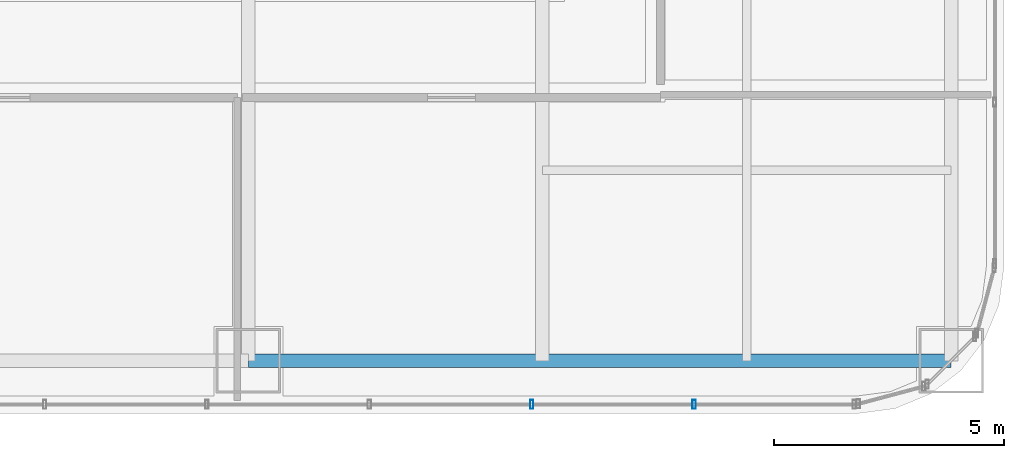
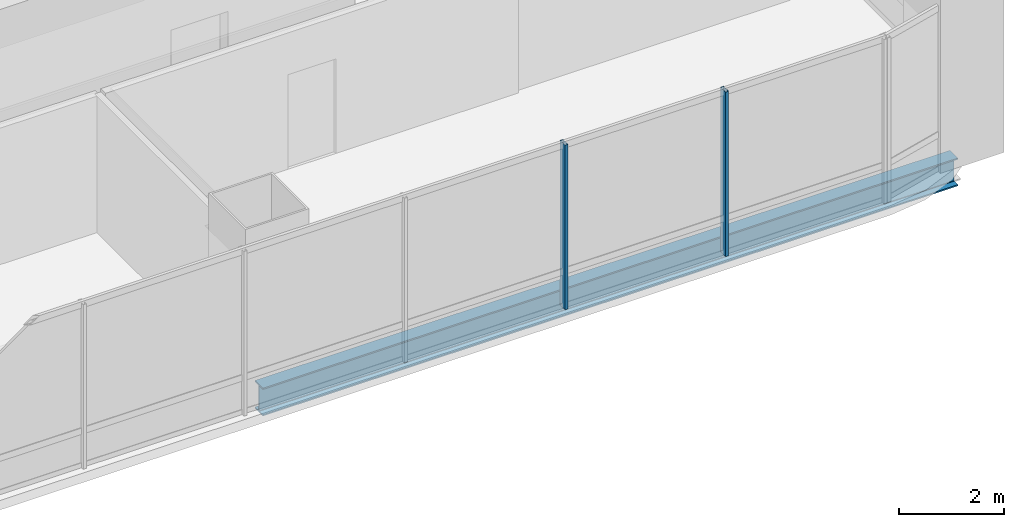
# One storey, part 14 of 37: 2 members, 1 beam, 1 element without a shape of its own.
"""IFC4 building model written with IfcOpenShell, lengths in metres."""

import ifcopenshell
import ifcopenshell.guid

model = None  # the IFC model being written
_history = None  # IfcOwnerHistory: only IFC2X3 demands one
_inside = {}  # id of a spatial element -> (the spatial element, [elements in it])
_under = {}  # id of a project, library or spatial element -> (it, [spatial elements below it])
_declared = {}  # id of a project -> (the project, [libraries it declares])
_typed = {}  # id of a type object -> (the type object, [elements of that type])
_made_of = {}  # id of a material, layer set ... -> (it, [elements and type objects made of it])


def new_model(schema):
    """Start an empty IFC model of exactly this schema.

    Asked for "IFC4X3", IfcOpenShell would pick the latest addendum, in which some entities
    have other attributes; the version numbers below select the first issue.
    IFC2X3 requires an IfcOwnerHistory on every rooted entity: one is made here for all.
    """
    global model, _history
    if schema == "IFC4X3":
        model = ifcopenshell.file(schema_version=(4, 3, 0, 0))
    else:
        model = ifcopenshell.file(schema=schema)
    _inside.clear()
    _under.clear()
    _declared.clear()
    _typed.clear()
    _made_of.clear()
    _history = None
    if model.schema == "IFC2X3":
        org = make("IfcOrganization", Name="unknown")
        user = make(
            "IfcPersonAndOrganization",
            ThePerson=make("IfcPerson", FamilyName="unknown"),
            TheOrganization=org,
        )
        app = make(
            "IfcApplication",
            ApplicationDeveloper=org,
            Version="unknown",
            ApplicationFullName="unknown",
            ApplicationIdentifier="unknown",
        )
        _history = make(
            "IfcOwnerHistory",
            OwningUser=user,
            OwningApplication=app,
            ChangeAction="ADDED",
            CreationDate=0,
        )
    return model


def make(cls, **values):
    """One entity of the class cls with the attributes given. An attribute that is None is left unset."""
    return model.create_entity(
        cls, **{name: value for name, value in values.items() if value is not None}
    )


def rooted(cls, **values):
    """An entity with a GlobalId (a new one), such as an element, a storey or a relation."""
    return make(cls, GlobalId=ifcopenshell.guid.new(), OwnerHistory=_history, **values)


def si_unit(unit_type, name, prefix=None):
    """IfcSIUnit, for example si_unit("LENGTHUNIT", "METRE", prefix="MILLI")."""
    return make("IfcSIUnit", UnitType=unit_type, Prefix=prefix, Name=name)


def assignment(units):
    """IfcUnitAssignment: the units of a project."""
    return None if units is None else make("IfcUnitAssignment", Units=units)


def point(xyz):
    """IfcCartesianPoint."""
    return None if xyz is None else make("IfcCartesianPoint", Coordinates=xyz)


def direction(xyz):
    """IfcDirection."""
    return None if xyz is None else make("IfcDirection", DirectionRatios=xyz)


def frame(location, z_axis=None, x_axis=None):
    """IfcAxis2Placement3D, a coordinate frame: its origin and axes. An axis left out is left unset."""
    return make(
        "IfcAxis2Placement3D",
        Location=point(location),
        Axis=direction(z_axis),
        RefDirection=direction(x_axis),
    )


def frame_2d(location, x_axis=None):
    """IfcAxis2Placement2D, a coordinate frame in the plane: its origin and x axis."""
    return make(
        "IfcAxis2Placement2D", Location=point(location), RefDirection=direction(x_axis)
    )


def origin():
    """The frame at (0, 0, 0) with its axes left unset."""
    return frame((0.0, 0.0, 0.0))


def origin_2d():
    """The frame at (0, 0) in the plane with its x axis left unset."""
    return frame_2d((0.0, 0.0))


def place(relative_to, where):
    """IfcLocalPlacement: puts the frame where relative to a parent placement (None: the world)."""
    return make(
        "IfcLocalPlacement", PlacementRelTo=relative_to, RelativePlacement=where
    )


def context(
    kind, dimensions, precision=None, world=None, true_north=None, identifier=None
):
    """IfcGeometricRepresentationContext, for example the 3D "Model" context."""
    return make(
        "IfcGeometricRepresentationContext",
        ContextIdentifier=identifier,
        ContextType=kind,
        CoordinateSpaceDimension=dimensions,
        Precision=precision,
        WorldCoordinateSystem=world,
        TrueNorth=true_north,
    )


def subcontext(parent, identifier, kind, view, scale=None):
    """IfcGeometricRepresentationSubContext, for example "Body" below "Model"."""
    return make(
        "IfcGeometricRepresentationSubContext",
        ContextIdentifier=identifier,
        ContextType=kind,
        ParentContext=parent,
        TargetScale=scale,
        TargetView=view,
    )


def project(units=None, contexts=None):
    """IfcProject with its units and contexts."""
    return rooted(
        "IfcProject",
        Name="project",
        RepresentationContexts=contexts,
        UnitsInContext=assignment(units),
    )


def spatial(cls, under=None, at=None, **own):
    """A site, building, storey or space (cls), placed at a placement, below another one or the project."""
    s = rooted(cls, ObjectPlacement=at, **own)
    if under is not None:
        _under.setdefault(under.id(), (under, []))[1].append(s)
    return s


def profile(cls, at=None, kind="AREA", **sizes):
    """A parametric profile (cls). Its sizes go by their IFC names, for example OverallWidth=200.0."""
    return make(cls, ProfileType=kind, Position=at, **sizes)


def hollow_rectangle(**sizes):
    """IfcRectangleHollowProfileDef."""
    return profile("IfcRectangleHollowProfileDef", **sizes)


def i_section(**sizes):
    """IfcIShapeProfileDef."""
    return profile("IfcIShapeProfileDef", **sizes)


def extrude(swept, where, along, depth):
    """IfcExtrudedAreaSolid: the profile swept, set in the frame where, extruded along a direction by depth."""
    return make(
        "IfcExtrudedAreaSolid",
        SweptArea=swept,
        Position=where,
        ExtrudedDirection=direction(along),
        Depth=depth,
    )


def shape(context_of_items, identifier, shape_type, items):
    """IfcShapeRepresentation: the items that make up one representation, for example the "Body"."""
    return make(
        "IfcShapeRepresentation",
        ContextOfItems=context_of_items,
        RepresentationIdentifier=identifier,
        RepresentationType=shape_type,
        Items=items,
    )


def material(Name=None, Category=None):
    """IfcMaterial."""
    return make("IfcMaterial", Name=Name, Category=Category)


def material_profile(
    of_material, cross_section, Name=None, Category=None, Priority=None
):
    """IfcMaterialProfile: a cross section and its material."""
    return make(
        "IfcMaterialProfile",
        Name=Name,
        Material=of_material,
        Profile=cross_section,
        Priority=Priority,
        Category=Category,
    )


def profile_set(profiles, Name=None, composite=None):
    """IfcMaterialProfileSet."""
    return make(
        "IfcMaterialProfileSet",
        Name=Name,
        MaterialProfiles=profiles,
        CompositeProfile=composite,
    )


def made_of(thing, what):
    """Note that an element or type object is made of a material, layer set ...; save() writes the relation."""
    if what is not None:
        _made_of.setdefault(what.id(), (what, []))[1].append(thing)
    return thing


def type_object(cls, material=None, **own):
    """A type object (cls), such as IfcWallType, which elements share."""
    return made_of(rooted(cls, **own), material)


def element(
    cls,
    number,
    at=None,
    inside=None,
    cuts=None,
    type_object=None,
    material=None,
    context=None,
    identifier="Body",
    shape_type=None,
    held_by="IfcProductDefinitionShape",
    body=None,
    shapes=None,
    **own,
):
    """One element of the class cls, such as IfcWall. Its Tag is "e" and its number.

    at: its placement. inside: the storey or other place that contains it. cuts: it is an
    opening in that element (IfcRelVoidsElement). A single representation is given by context,
    identifier, shape_type and body (its items); several are given by shapes. held_by: the class
    of the entity that holds the representations. save() writes the other relations.
    """
    e = rooted(cls, Tag="e%d" % number, ObjectPlacement=at, **own)
    if body is not None:
        shapes = [shape(context, identifier, shape_type, body)]
    if shapes is not None:
        e.Representation = make(held_by, Representations=shapes)
    if inside is not None:
        _inside.setdefault(inside.id(), (inside, []))[1].append(e)
    if cuts is not None:
        rooted(
            "IfcRelVoidsElement", RelatingBuildingElement=cuts, RelatedOpeningElement=e
        )
    if type_object is not None:
        _typed.setdefault(type_object.id(), (type_object, []))[1].append(e)
    return made_of(e, material)


def aggregate(whole, parts):
    """IfcRelAggregates: a whole, such as a stair, and the parts it consists of."""
    return rooted("IfcRelAggregates", RelatingObject=whole, RelatedObjects=parts)


def save(model, path):
    """Write the relations noted so far, then the file.

    IfcRelAggregates (storeys below a building ...), IfcRelContainedInSpatialStructure (elements
    in a storey), IfcRelDefinesByType, IfcRelAssociatesMaterial and IfcRelDeclares: one each for
    every whole, place, type object, material and project.
    """
    for whole, parts in _under.values():
        aggregate(whole, parts)
    for where, things in _inside.values():
        rooted(
            "IfcRelContainedInSpatialStructure",
            RelatedElements=things,
            RelatingStructure=where,
        )
    for kind, things in _typed.values():
        rooted("IfcRelDefinesByType", RelatedObjects=things, RelatingType=kind)
    for what, things in _made_of.values():
        rooted("IfcRelAssociatesMaterial", RelatedObjects=things, RelatingMaterial=what)
    for by, libraries in _declared.values():
        rooted("IfcRelDeclares", RelatingContext=by, RelatedDefinitions=libraries)
    model.write(path)


model = new_model("IFC4")

# Units and contexts
model_context = context("Model", 3, precision=1e-05, world=origin(), true_north=direction((0.0, 1.0)))
body_context = subcontext(model_context, "Body", "Model", "MODEL_VIEW")
ifc_project = project(units=[si_unit("LENGTHUNIT", "METRE"), si_unit("AREAUNIT", "SQUARE_METRE"), si_unit("VOLUMEUNIT", "CUBIC_METRE"), si_unit("PLANEANGLEUNIT", "RADIAN"), si_unit("MASSUNIT", "GRAM", prefix="KILO")], contexts=[model_context])

# Site, building, storey
site_placement = place(None, origin())
site = spatial("IfcSite", under=ifc_project, at=site_placement, CompositionType="ELEMENT")
building_placement = place(site_placement, origin())
building = spatial("IfcBuilding", under=site, at=building_placement, Name="Punatoya Terracotta Tower", CompositionType="ELEMENT")
storey_placement = place(building_placement, frame((0.0, 0.0, 164.10009765625)))
storey = spatial("IfcBuildingStorey", under=building, at=storey_placement, Name="L38", CompositionType="ELEMENT", Elevation=164.10009765625)

# Beam
ifc_material_1 = material(Name="Steel S355", Category="steel")
ifc_material_profile_1 = material_profile(ifc_material_1, i_section(OverallWidth=0.300048828125, OverallDepth=0.64990234375, WebThickness=0.01611328125, FlangeThickness=0.031005859375, FilletRadius=0.01806640625, at=origin_2d()))
ifc_profile_set_1 = profile_set([ifc_material_profile_1], Name="Steel S355")
beam_type = type_object("IfcBeamType", Name="BM-PRI-650", PredefinedType="BEAM", material=ifc_profile_set_1)
beam_placement = place(storey_placement, frame((3.800048828125, -17.5, -0.545166015625), z_axis=(1.0, 0.0, 0.0), x_axis=(0.0, 1.0, 0.0)))
element("IfcBeam", 1, at=beam_placement, inside=storey, type_object=beam_type, Name="BM-L38-RG-S3", PredefinedType="BEAM", context=body_context, shape_type="SweptSolid", body=[
    extrude(i_section(OverallWidth=0.300048828125, OverallDepth=0.64990234375, WebThickness=0.01611328125, FlangeThickness=0.031005859375, FilletRadius=0.01806640625, at=origin_2d()), origin(), (0.0, 0.0, 1.0), 15.300048828125),
])

# Curtain wall, members
ifc_material_2 = material(Name="Aluminium 6063-T6 + Double Low-E Glass", Category="aluminium")
curtain_wall_type = type_object("IfcCurtainWallType", Name="CW-M2", PredefinedType="NOTDEFINED", material=ifc_material_2)
curtain_wall_placement = place(storey_placement, origin())
curtain_wall = element("IfcCurtainWall", 2, at=curtain_wall_placement, inside=storey, type_object=curtain_wall_type, Name="L38 Curtain Wall CW-L38-S01-1", PredefinedType="NOTDEFINED")
ifc_material_3 = material(Name="Aluminium 6063-T6", Category="aluminium")
ifc_material_profile_2 = material_profile(ifc_material_3, hollow_rectangle(XDim=0.072021484375, YDim=0.195068359375, WallThickness=0.00439453125, at=origin_2d()))
ifc_profile_set_2 = profile_set([ifc_material_profile_2], Name="Aluminium 6063-T6")
member_type = type_object("IfcMemberType", Name="CW-MUL-M2", PredefinedType="MULLION", material=ifc_profile_set_2)
member_1_placement = place(storey_placement, frame((9.968994140625, -18.449951171875, 0.0), z_axis=(0.0, 0.0, 1.0), x_axis=(1.0, 0.0, 0.0)))
member_1 = element("IfcMember", 3, at=member_1_placement, type_object=member_type, Name="CW-L38-S01-1 Mullion 09", PredefinedType="MULLION", context=body_context, shape_type="SweptSolid", body=[
    extrude(hollow_rectangle(XDim=0.072021484375, YDim=0.195068359375, WallThickness=0.00439453125, at=origin_2d()), origin(), (0.0, 0.0, 1.0), 3.829833984375),
])
member_2_placement = place(storey_placement, frame((13.5029296875, -18.449951171875, 0.0), z_axis=(0.0, 0.0, 1.0), x_axis=(1.0, 0.0, 0.0)))
member_2 = element("IfcMember", 4, at=member_2_placement, type_object=member_type, Name="CW-L38-S01-1 Mullion 10", PredefinedType="MULLION", context=body_context, shape_type="SweptSolid", body=[
    extrude(hollow_rectangle(XDim=0.072021484375, YDim=0.195068359375, WallThickness=0.00439453125, at=origin_2d()), origin(), (0.0, 0.0, 1.0), 3.829833984375),
])
aggregate(curtain_wall, [member_1, member_2])

save(model, "model.ifc")
